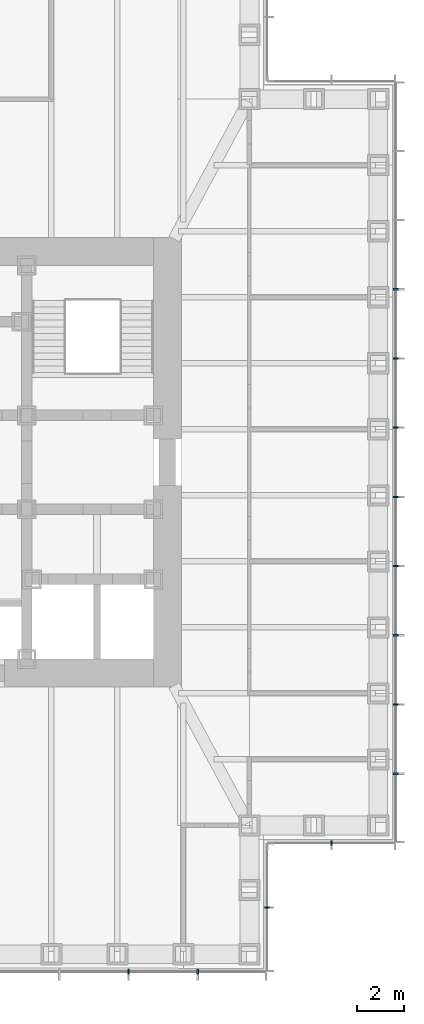
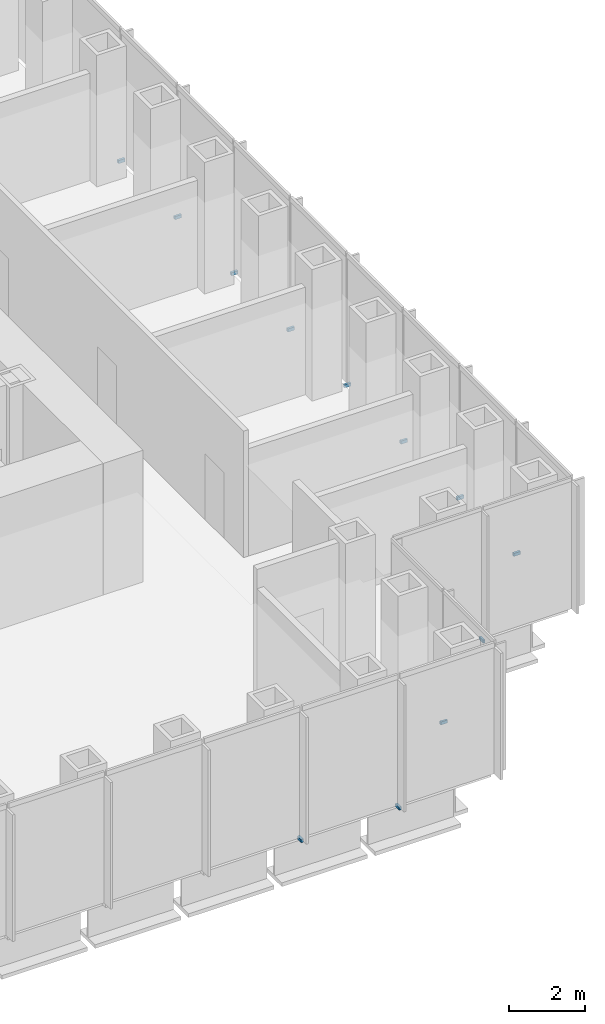
# One storey, part 13 of 16: 12 discrete accessories.
"""IFC4 building model written with IfcOpenShell, lengths in metres."""

from ifc_helpers import new_model, si_unit, direction, frame, origin, origin_2d, place, context, subcontext, project, spatial, rectangle, extrude, element, save


model = new_model("IFC4")

# Units and contexts
model_context = context("Model", 3, precision=1e-05, world=origin(), true_north=direction((0.0, 1.0)))
body_context = subcontext(model_context, "Body", "Model", "MODEL_VIEW")
ifc_project = project(units=[si_unit("LENGTHUNIT", "METRE"), si_unit("AREAUNIT", "SQUARE_METRE"), si_unit("VOLUMEUNIT", "CUBIC_METRE"), si_unit("PLANEANGLEUNIT", "RADIAN"), si_unit("MASSUNIT", "GRAM", prefix="KILO")], contexts=[model_context])

# Site, building, storey
site_placement = place(None, origin())
site = spatial("IfcSite", under=ifc_project, at=site_placement, CompositionType="ELEMENT")
building_placement = place(site_placement, origin())
building = spatial("IfcBuilding", under=site, at=building_placement, Name="Daluyong Arena Tower", CompositionType="ELEMENT")
storey_placement = place(building_placement, frame((0.0, 0.0, 189.699951171875)))
storey = spatial("IfcBuildingStorey", under=building, at=storey_placement, Name="L42", CompositionType="ELEMENT", Elevation=189.699951171875)

# Discrete accessories
for number, where, z_axis, x_axis, name in (
    (1, (66.3408203125, 58.25, -0.10009765625), (0.0, 0.0, 1.0), (1.0, 0.0, 0.0), "curtain wall L42 S anchor bracket 10"),
    (2, (69.29541015625, 58.25, -0.10009765625), (0.0, 0.0, 1.0), (1.0, 0.0, 0.0), "curtain wall L42 S anchor bracket 11"),
):
    element("IfcDiscreteAccessory", number, at=place(storey_placement, frame(where, z_axis=z_axis, x_axis=x_axis)), inside=storey, Name=name, PredefinedType="BRACKET", context=body_context, shape_type="SweptSolid", body=[
        extrude(rectangle(XDim=0.070068359375, YDim=0.199951171875, at=origin_2d()), origin(), (0.0, 0.0, 1.0), 0.10009765625),
    ])
for number, where, z_axis, x_axis, name in (
    (3, (72.25, 61.0, -0.10009765625), (0.0, 0.0, 1.0), (0.0, 1.0, 0.0), "curtain wall L42 SE-E anchor bracket 2"),
    (4, (75.0, 63.75, -0.10009765625), (0.0, 0.0, 1.0), (1.0, 0.0, 0.0), "curtain wall L42 SE-S anchor bracket 2"),
):
    element("IfcDiscreteAccessory", number, at=place(storey_placement, frame(where, z_axis=z_axis, x_axis=x_axis)), inside=storey, Name=name, PredefinedType="BRACKET", context=body_context, shape_type="SweptSolid", body=[
        extrude(rectangle(XDim=0.06005859375, YDim=0.199951171875, at=origin_2d()), origin(), (0.0, 0.0, 1.0), 0.10009765625),
    ])
for number, where, z_axis, x_axis, name in (
    (5, (77.75, 66.70458984375, -0.10009765625), (0.0, 0.0, 1.0), (0.0, 1.0, 0.0), "curtain wall L42 E anchor bracket 2"),
    (6, (77.75, 69.6591796875, -0.10009765625), (0.0, 0.0, 1.0), (0.0, 1.0, 0.0), "curtain wall L42 E anchor bracket 3"),
    (7, (77.75, 72.613525390625, -0.10009765625), (0.0, 0.0, 1.0), (0.0, 1.0, 0.0), "curtain wall L42 E anchor bracket 4"),
    (8, (77.75, 75.568115234375, -0.10009765625), (0.0, 0.0, 1.0), (0.0, 1.0, 0.0), "curtain wall L42 E anchor bracket 5"),
    (9, (77.75, 78.522705078125, -0.10009765625), (0.0, 0.0, 1.0), (0.0, 1.0, 0.0), "curtain wall L42 E anchor bracket 6"),
    (10, (77.75, 81.477294921875, -0.10009765625), (0.0, 0.0, 1.0), (0.0, 1.0, 0.0), "curtain wall L42 E anchor bracket 7"),
    (11, (77.75, 84.431884765625, -0.10009765625), (0.0, 0.0, 1.0), (0.0, 1.0, 0.0), "curtain wall L42 E anchor bracket 8"),
    (12, (77.75, 87.386474609375, -0.10009765625), (0.0, 0.0, 1.0), (0.0, 1.0, 0.0), "curtain wall L42 E anchor bracket 9"),
):
    element("IfcDiscreteAccessory", number, at=place(storey_placement, frame(where, z_axis=z_axis, x_axis=x_axis)), inside=storey, Name=name, PredefinedType="BRACKET", context=body_context, shape_type="SweptSolid", body=[
        extrude(rectangle(XDim=0.070068359375, YDim=0.199951171875, at=origin_2d()), origin(), (0.0, 0.0, 1.0), 0.10009765625),
    ])

save(model, "model.ifc")
